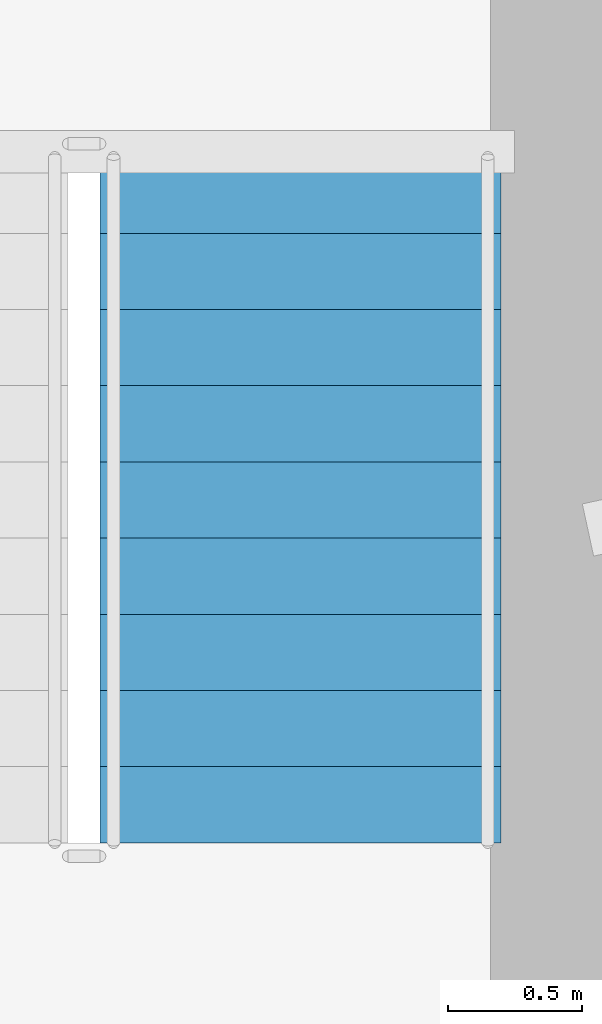
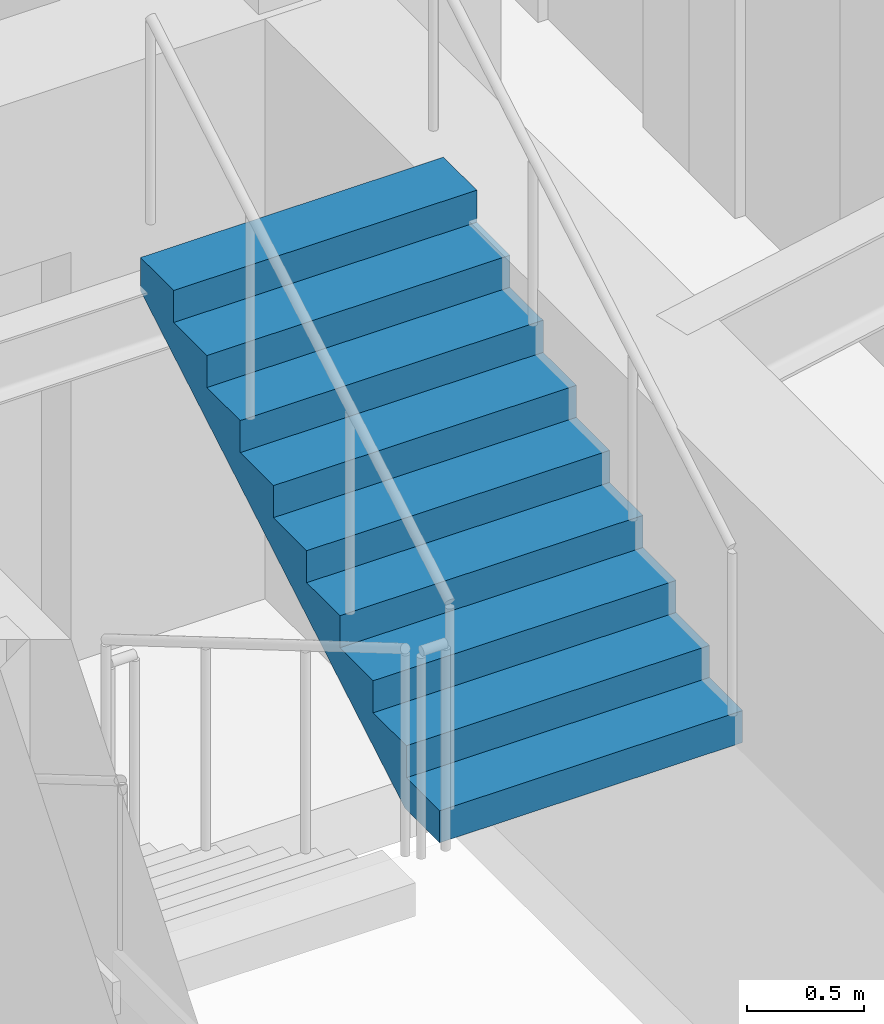
# One storey, part 23 of 26: 1 stair flight, 1 element without a shape of its own.
"""IFC4 building model written with IfcOpenShell, lengths in metres."""

from ifc_helpers import new_model, si_unit, direction, frame, origin, place, context, subcontext, project, spatial, polyline, outline, extrude, material, type_object, element, aggregate, save


model = new_model("IFC4")

# Units and contexts
model_context = context("Model", 3, precision=1e-05, world=origin(), true_north=direction((0.0, 1.0)))
body_context = subcontext(model_context, "Body", "Model", "MODEL_VIEW")
ifc_project = project(units=[si_unit("LENGTHUNIT", "METRE"), si_unit("AREAUNIT", "SQUARE_METRE"), si_unit("VOLUMEUNIT", "CUBIC_METRE"), si_unit("PLANEANGLEUNIT", "RADIAN"), si_unit("MASSUNIT", "GRAM", prefix="KILO")], contexts=[model_context])

# Site, building, storey
site_placement = place(None, origin())
site = spatial("IfcSite", under=ifc_project, at=site_placement, CompositionType="ELEMENT")
building_placement = place(site_placement, origin())
building = spatial("IfcBuilding", under=site, at=building_placement, Name="Qobustan Lattice House", CompositionType="ELEMENT")
storey_placement = place(building_placement, frame((0.0, 0.0, 47.10009765625)))
storey = spatial("IfcBuildingStorey", under=building, at=storey_placement, Name="L12", CompositionType="ELEMENT", Elevation=47.10009765625)

# Stair, stair flight
ifc_material_1 = material(Name="Concrete C40/50", Category="concrete")
stair_type = type_object("IfcStairType", Name="STR-CORE-DOGLEG", PredefinedType="HALF_TURN_STAIR", material=ifc_material_1)
stair_placement = place(storey_placement, origin())
stair = element("IfcStair", 1, at=stair_placement, inside=storey, type_object=stair_type, Name="L12 East protected exit stair ST-E1", PredefinedType="HALF_TURN_STAIR")
ifc_material_2 = material(Name="Concrete C40/50", Category="concrete")
stair_flight_type = type_object("IfcStairFlightType", Name="SFL-RC-1500", PredefinedType="STRAIGHT", material=ifc_material_2)
stair_flight_placement = place(storey_placement, frame((17.5, 0.93505859375, 1.6748046875), z_axis=(0.0, 0.0, 1.0), x_axis=(0.0, 1.0, 0.0)))
stair_flight = element("IfcStairFlight", 2, at=stair_flight_placement, type_object=stair_flight_type, Name="ST-E1 flight 2", NumberOfRisers=10, NumberOfTreads=9, PredefinedType="STRAIGHT", RiserHeight=0.1675, TreadLength=0.285, context=body_context, shape_type="SweptSolid", body=[
    extrude(outline(polyline([(0.0, 0.0), (0.0, 0.16748046875), (0.284912109375, 0.16748046875), (0.284912109375, 0.3349609375), (0.570068359375, 0.3349609375), (0.570068359375, 0.50244140625), (0.85498046875, 0.50244140625), (0.85498046875, 0.669921875), (1.139892578125, 0.669921875), (1.139892578125, 0.83740234375), (1.425048828125, 0.83740234375), (1.425048828125, 1.0048828125), (1.7099609375, 1.0048828125), (1.7099609375, 1.172607421875), (1.9951171875, 1.172607421875), (1.9951171875, 1.340087890625), (2.280029296875, 1.340087890625), (2.280029296875, 1.507568359375), (2.56494140625, 1.507568359375), (2.56494140625, 1.675048828125), (2.56494140625, 1.333740234375), (0.2958984375, 0.0), (0.0, 0.0)])), frame((0.0, 0.75, 0.0), z_axis=(0.0, -1.0, 0.0), x_axis=(1.0, 0.0, 0.0)), (0.0, 0.0, 1.0), 1.5),
])
aggregate(stair, [stair_flight])

save(model, "model.ifc")
